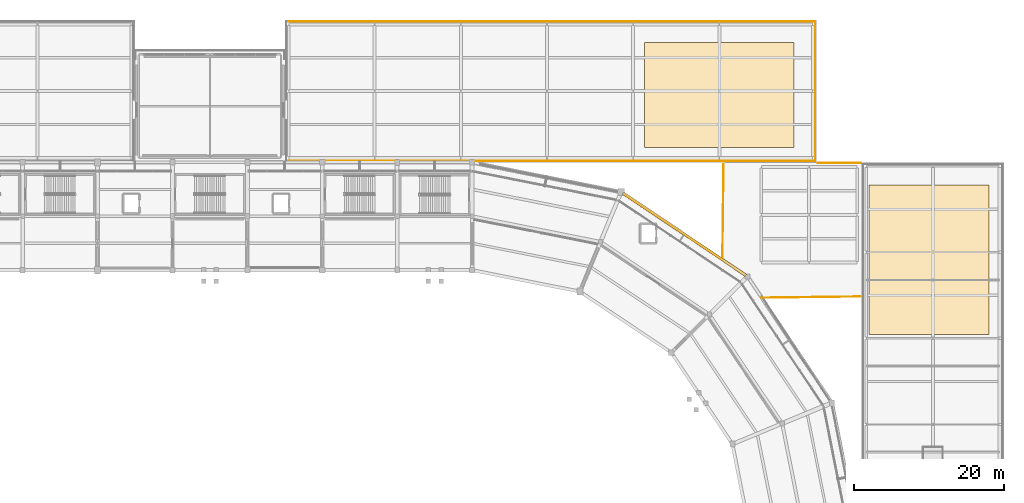
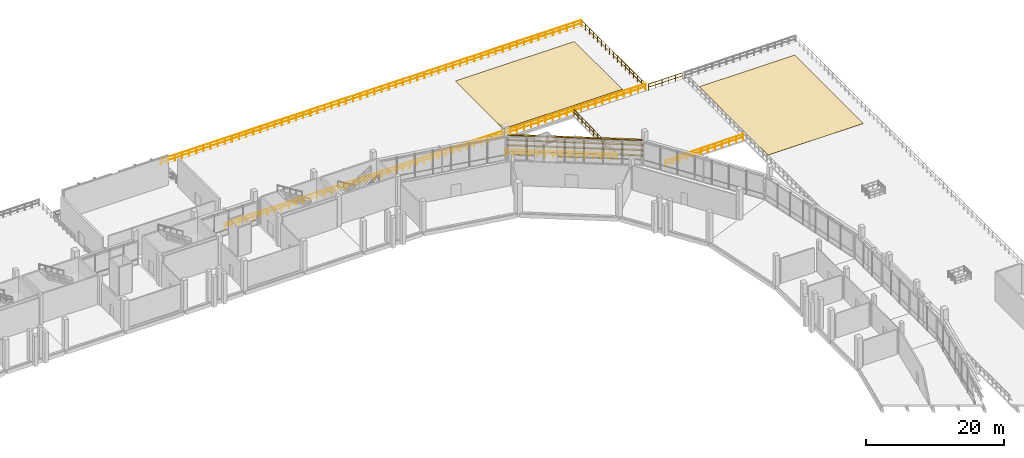
# One storey, part 110 of 111: 7 railings, 4 shading devices, 2 coverings.
"""IFC4 building model written with IfcOpenShell, lengths in metres."""

from ifc_helpers import new_model, si_unit, direction, frame, origin, origin_2d, place, context, subcontext, project, spatial, polyline, rectangle, circle, outline, extrude, material, layer, layer_set, type_object, element, save


model = new_model("IFC4")

# Units and contexts
model_context = context("Model", 3, precision=1e-05, world=origin(), true_north=direction((0.0, 1.0)))
body_context = subcontext(model_context, "Body", "Model", "MODEL_VIEW")
ifc_project = project(units=[si_unit("LENGTHUNIT", "METRE"), si_unit("AREAUNIT", "SQUARE_METRE"), si_unit("VOLUMEUNIT", "CUBIC_METRE"), si_unit("PLANEANGLEUNIT", "RADIAN"), si_unit("MASSUNIT", "GRAM", prefix="KILO")], contexts=[model_context])

# Site, building, storey
site_placement = place(None, origin())
site = spatial("IfcSite", under=ifc_project, at=site_placement, CompositionType="ELEMENT")
building_placement = place(site_placement, origin())
building = spatial("IfcBuilding", under=site, at=building_placement, Name="Candeia Ridge Stadium", CompositionType="ELEMENT")
storey_placement = place(building_placement, frame((0.0, 0.0, 16.199951171875)))
storey = spatial("IfcBuildingStorey", under=building, at=storey_placement, Name="L03", CompositionType="ELEMENT", Elevation=16.199951171875)

# Railings
ifc_material_1 = material(Name="Laminated Glass & Stainless Steel", Category="steel")
ifc_layer_1 = layer(ifc_material_1, 0.080078125, Name="Laminated Glass & Stainless Steel", Category="steel")
ifc_layer_set_1 = layer_set([ifc_layer_1], Name="Laminated Glass & Stainless Steel")
railing_type_1 = type_object("IfcRailingType", Name="Planted Terrace Glass-Steel Guard 1150", PredefinedType="BALUSTRADE", material=ifc_layer_set_1)
railing_1_placement = place(storey_placement, frame((116.199951171875, 147.199951171875, 0.0)))
element("IfcRailing", 1, at=railing_1_placement, inside=storey, type_object=railing_type_1, Name="Terrace perimeter balustrade GR-TER-195", PredefinedType="BALUSTRADE", context=body_context, shape_type="SweptSolid", body=[
    extrude(circle(Radius=0.02392578125, at=origin_2d()), frame((0.0, 0.0, 1.1259765625), z_axis=(1.0, 0.0, 0.0), x_axis=(0.0, 1.0, 0.0)), (0.0, 0.0, 1.0), 70.60009765625),
    extrude(circle(Radius=0.02392578125, at=origin_2d()), frame((0.0, 0.0, 0.574951171875), z_axis=(1.0, 0.0, 0.0), x_axis=(0.0, 1.0, 0.0)), (0.0, 0.0, 1.0), 70.60009765625),
    extrude(circle(Radius=0.02099609375, at=origin_2d()), origin(), (0.0, 0.0, 1.0), 1.101806640625),
    extrude(circle(Radius=0.02099609375, at=origin_2d()), frame((1.196533203125, 0.0, 0.0)), (0.0, 0.0, 1.0), 1.101806640625),
    extrude(circle(Radius=0.02099609375, at=origin_2d()), frame((2.393310546875, 0.0, 0.0)), (0.0, 0.0, 1.0), 1.101806640625),
    extrude(circle(Radius=0.02099609375, at=origin_2d()), frame((3.58984375, 0.0, 0.0)), (0.0, 0.0, 1.0), 1.101806640625),
    extrude(circle(Radius=0.02099609375, at=origin_2d()), frame((4.786376953125, 0.0, 0.0)), (0.0, 0.0, 1.0), 1.101806640625),
    extrude(circle(Radius=0.02099609375, at=origin_2d()), frame((5.983154296875, 0.0, 0.0)), (0.0, 0.0, 1.0), 1.101806640625),
    extrude(circle(Radius=0.02099609375, at=origin_2d()), frame((7.1796875, 0.0, 0.0)), (0.0, 0.0, 1.0), 1.101806640625),
    extrude(circle(Radius=0.02099609375, at=origin_2d()), frame((8.376220703125, 0.0, 0.0)), (0.0, 0.0, 1.0), 1.101806640625),
    extrude(circle(Radius=0.02099609375, at=origin_2d()), frame((9.572998046875, 0.0, 0.0)), (0.0, 0.0, 1.0), 1.101806640625),
    extrude(circle(Radius=0.02099609375, at=origin_2d()), frame((10.76953125, 0.0, 0.0)), (0.0, 0.0, 1.0), 1.101806640625),
    extrude(circle(Radius=0.02099609375, at=origin_2d()), frame((11.966064453125, 0.0, 0.0)), (0.0, 0.0, 1.0), 1.101806640625),
    extrude(circle(Radius=0.02099609375, at=origin_2d()), frame((13.162841796875, 0.0, 0.0)), (0.0, 0.0, 1.0), 1.101806640625),
    extrude(circle(Radius=0.02099609375, at=origin_2d()), frame((14.359375, 0.0, 0.0)), (0.0, 0.0, 1.0), 1.101806640625),
    extrude(circle(Radius=0.02099609375, at=origin_2d()), frame((15.555908203125, 0.0, 0.0)), (0.0, 0.0, 1.0), 1.101806640625),
    extrude(circle(Radius=0.02099609375, at=origin_2d()), frame((16.752685546875, 0.0, 0.0)), (0.0, 0.0, 1.0), 1.101806640625),
    extrude(circle(Radius=0.02099609375, at=origin_2d()), frame((17.94921875, 0.0, 0.0)), (0.0, 0.0, 1.0), 1.101806640625),
    extrude(circle(Radius=0.02099609375, at=origin_2d()), frame((19.145751953125, 0.0, 0.0)), (0.0, 0.0, 1.0), 1.101806640625),
    extrude(circle(Radius=0.02099609375, at=origin_2d()), frame((20.34228515625, 0.0, 0.0)), (0.0, 0.0, 1.0), 1.101806640625),
    extrude(circle(Radius=0.02099609375, at=origin_2d()), frame((21.5390625, 0.0, 0.0)), (0.0, 0.0, 1.0), 1.101806640625),
    extrude(circle(Radius=0.02099609375, at=origin_2d()), frame((22.735595703125, 0.0, 0.0)), (0.0, 0.0, 1.0), 1.101806640625),
    extrude(circle(Radius=0.02099609375, at=origin_2d()), frame((23.93212890625, 0.0, 0.0)), (0.0, 0.0, 1.0), 1.101806640625),
    extrude(circle(Radius=0.02099609375, at=origin_2d()), frame((25.12890625, 0.0, 0.0)), (0.0, 0.0, 1.0), 1.101806640625),
    extrude(circle(Radius=0.02099609375, at=origin_2d()), frame((26.325439453125, 0.0, 0.0)), (0.0, 0.0, 1.0), 1.101806640625),
    extrude(circle(Radius=0.02099609375, at=origin_2d()), frame((27.52197265625, 0.0, 0.0)), (0.0, 0.0, 1.0), 1.101806640625),
    extrude(circle(Radius=0.02099609375, at=origin_2d()), frame((28.71875, 0.0, 0.0)), (0.0, 0.0, 1.0), 1.101806640625),
    extrude(circle(Radius=0.02099609375, at=origin_2d()), frame((29.915283203125, 0.0, 0.0)), (0.0, 0.0, 1.0), 1.101806640625),
    extrude(circle(Radius=0.02099609375, at=origin_2d()), frame((31.11181640625, 0.0, 0.0)), (0.0, 0.0, 1.0), 1.101806640625),
    extrude(circle(Radius=0.02099609375, at=origin_2d()), frame((32.30859375, 0.0, 0.0)), (0.0, 0.0, 1.0), 1.101806640625),
    extrude(circle(Radius=0.02099609375, at=origin_2d()), frame((33.505126953125, 0.0, 0.0)), (0.0, 0.0, 1.0), 1.101806640625),
    extrude(circle(Radius=0.02099609375, at=origin_2d()), frame((34.70166015625, 0.0, 0.0)), (0.0, 0.0, 1.0), 1.101806640625),
    extrude(circle(Radius=0.02099609375, at=origin_2d()), frame((35.8984375, 0.0, 0.0)), (0.0, 0.0, 1.0), 1.101806640625),
    extrude(circle(Radius=0.02099609375, at=origin_2d()), frame((37.094970703125, 0.0, 0.0)), (0.0, 0.0, 1.0), 1.101806640625),
    extrude(circle(Radius=0.02099609375, at=origin_2d()), frame((38.29150390625, 0.0, 0.0)), (0.0, 0.0, 1.0), 1.101806640625),
    extrude(circle(Radius=0.02099609375, at=origin_2d()), frame((39.48828125, 0.0, 0.0)), (0.0, 0.0, 1.0), 1.101806640625),
    extrude(circle(Radius=0.02099609375, at=origin_2d()), frame((40.684814453125, 0.0, 0.0)), (0.0, 0.0, 1.0), 1.101806640625),
    extrude(circle(Radius=0.02099609375, at=origin_2d()), frame((41.88134765625, 0.0, 0.0)), (0.0, 0.0, 1.0), 1.101806640625),
    extrude(circle(Radius=0.02099609375, at=origin_2d()), frame((43.078125, 0.0, 0.0)), (0.0, 0.0, 1.0), 1.101806640625),
    extrude(circle(Radius=0.02099609375, at=origin_2d()), frame((44.274658203125, 0.0, 0.0)), (0.0, 0.0, 1.0), 1.101806640625),
    extrude(circle(Radius=0.02099609375, at=origin_2d()), frame((45.47119140625, 0.0, 0.0)), (0.0, 0.0, 1.0), 1.101806640625),
    extrude(circle(Radius=0.02099609375, at=origin_2d()), frame((46.66796875, 0.0, 0.0)), (0.0, 0.0, 1.0), 1.101806640625),
    extrude(circle(Radius=0.02099609375, at=origin_2d()), frame((47.864501953125, 0.0, 0.0)), (0.0, 0.0, 1.0), 1.101806640625),
    extrude(circle(Radius=0.02099609375, at=origin_2d()), frame((49.06103515625, 0.0, 0.0)), (0.0, 0.0, 1.0), 1.101806640625),
    extrude(circle(Radius=0.02099609375, at=origin_2d()), frame((50.2578125, 0.0, 0.0)), (0.0, 0.0, 1.0), 1.101806640625),
    extrude(circle(Radius=0.02099609375, at=origin_2d()), frame((51.454345703125, 0.0, 0.0)), (0.0, 0.0, 1.0), 1.101806640625),
    extrude(circle(Radius=0.02099609375, at=origin_2d()), frame((52.65087890625, 0.0, 0.0)), (0.0, 0.0, 1.0), 1.101806640625),
    extrude(circle(Radius=0.02099609375, at=origin_2d()), frame((53.847412109375, 0.0, 0.0)), (0.0, 0.0, 1.0), 1.101806640625),
    extrude(circle(Radius=0.02099609375, at=origin_2d()), frame((55.044189453125, 0.0, 0.0)), (0.0, 0.0, 1.0), 1.101806640625),
    extrude(circle(Radius=0.02099609375, at=origin_2d()), frame((56.24072265625, 0.0, 0.0)), (0.0, 0.0, 1.0), 1.101806640625),
    extrude(circle(Radius=0.02099609375, at=origin_2d()), frame((57.437255859375, 0.0, 0.0)), (0.0, 0.0, 1.0), 1.101806640625),
    extrude(circle(Radius=0.02099609375, at=origin_2d()), frame((58.634033203125, 0.0, 0.0)), (0.0, 0.0, 1.0), 1.101806640625),
    extrude(circle(Radius=0.02099609375, at=origin_2d()), frame((59.83056640625, 0.0, 0.0)), (0.0, 0.0, 1.0), 1.101806640625),
    extrude(circle(Radius=0.02099609375, at=origin_2d()), frame((61.027099609375, 0.0, 0.0)), (0.0, 0.0, 1.0), 1.101806640625),
    extrude(circle(Radius=0.02099609375, at=origin_2d()), frame((62.223876953125, 0.0, 0.0)), (0.0, 0.0, 1.0), 1.101806640625),
    extrude(circle(Radius=0.02099609375, at=origin_2d()), frame((63.42041015625, 0.0, 0.0)), (0.0, 0.0, 1.0), 1.101806640625),
    extrude(circle(Radius=0.02099609375, at=origin_2d()), frame((64.616943359375, 0.0, 0.0)), (0.0, 0.0, 1.0), 1.101806640625),
    extrude(circle(Radius=0.02099609375, at=origin_2d()), frame((65.813720703125, 0.0, 0.0)), (0.0, 0.0, 1.0), 1.101806640625),
    extrude(circle(Radius=0.02099609375, at=origin_2d()), frame((67.01025390625, 0.0, 0.0)), (0.0, 0.0, 1.0), 1.101806640625),
    extrude(circle(Radius=0.02099609375, at=origin_2d()), frame((68.206787109375, 0.0, 0.0)), (0.0, 0.0, 1.0), 1.101806640625),
    extrude(circle(Radius=0.02099609375, at=origin_2d()), frame((69.403564453125, 0.0, 0.0)), (0.0, 0.0, 1.0), 1.101806640625),
    extrude(circle(Radius=0.02099609375, at=origin_2d()), frame((70.60009765625, 0.0, 0.0)), (0.0, 0.0, 1.0), 1.101806640625),
])
railing_2_placement = place(storey_placement, frame((186.800048828125, 147.199951171875, 0.0)))
element("IfcRailing", 2, at=railing_2_placement, inside=storey, type_object=railing_type_1, Name="Terrace perimeter balustrade GR-TER-196", PredefinedType="BALUSTRADE", context=body_context, shape_type="SweptSolid", body=[
    extrude(circle(Radius=0.02392578125, at=origin_2d()), frame((0.0, 0.0, 1.1259765625), z_axis=(0.0, 1.0, 0.0), x_axis=(-1.0, 0.0, 0.0)), (0.0, 0.0, 1.0), 18.60009765625),
    extrude(circle(Radius=0.02392578125, at=origin_2d()), frame((0.0, 0.0, 0.574951171875), z_axis=(0.0, 1.0, 0.0), x_axis=(-1.0, 0.0, 0.0)), (0.0, 0.0, 1.0), 18.60009765625),
    extrude(circle(Radius=0.02099609375, at=origin_2d()), origin(), (0.0, 0.0, 1.0), 1.101806640625),
    extrude(circle(Radius=0.02099609375, at=origin_2d()), frame((0.0, 1.16259765625, 0.0)), (0.0, 0.0, 1.0), 1.101806640625),
    extrude(circle(Radius=0.02099609375, at=origin_2d()), frame((0.0, 2.324951171875, 0.0)), (0.0, 0.0, 1.0), 1.101806640625),
    extrude(circle(Radius=0.02099609375, at=origin_2d()), frame((0.0, 3.487548828125, 0.0)), (0.0, 0.0, 1.0), 1.101806640625),
    extrude(circle(Radius=0.02099609375, at=origin_2d()), frame((0.0, 4.64990234375, 0.0)), (0.0, 0.0, 1.0), 1.101806640625),
    extrude(circle(Radius=0.02099609375, at=origin_2d()), frame((0.0, 5.8125, 0.0)), (0.0, 0.0, 1.0), 1.101806640625),
    extrude(circle(Radius=0.02099609375, at=origin_2d()), frame((0.0, 6.97509765625, 0.0)), (0.0, 0.0, 1.0), 1.101806640625),
    extrude(circle(Radius=0.02099609375, at=origin_2d()), frame((0.0, 8.137451171875, 0.0)), (0.0, 0.0, 1.0), 1.101806640625),
    extrude(circle(Radius=0.02099609375, at=origin_2d()), frame((0.0, 9.300048828125, 0.0)), (0.0, 0.0, 1.0), 1.101806640625),
    extrude(circle(Radius=0.02099609375, at=origin_2d()), frame((0.0, 10.462646484375, 0.0)), (0.0, 0.0, 1.0), 1.101806640625),
    extrude(circle(Radius=0.02099609375, at=origin_2d()), frame((0.0, 11.625, 0.0)), (0.0, 0.0, 1.0), 1.101806640625),
    extrude(circle(Radius=0.02099609375, at=origin_2d()), frame((0.0, 12.78759765625, 0.0)), (0.0, 0.0, 1.0), 1.101806640625),
    extrude(circle(Radius=0.02099609375, at=origin_2d()), frame((0.0, 13.9501953125, 0.0)), (0.0, 0.0, 1.0), 1.101806640625),
    extrude(circle(Radius=0.02099609375, at=origin_2d()), frame((0.0, 15.112548828125, 0.0)), (0.0, 0.0, 1.0), 1.101806640625),
    extrude(circle(Radius=0.02099609375, at=origin_2d()), frame((0.0, 16.275146484375, 0.0)), (0.0, 0.0, 1.0), 1.101806640625),
    extrude(circle(Radius=0.02099609375, at=origin_2d()), frame((0.0, 17.4375, 0.0)), (0.0, 0.0, 1.0), 1.101806640625),
    extrude(circle(Radius=0.02099609375, at=origin_2d()), frame((0.0, 18.60009765625, 0.0)), (0.0, 0.0, 1.0), 1.101806640625),
])
railing_3_placement = place(storey_placement, frame((186.800048828125, 165.800048828125, 0.0)))
element("IfcRailing", 3, at=railing_3_placement, inside=storey, type_object=railing_type_1, Name="Terrace perimeter balustrade GR-TER-197", PredefinedType="BALUSTRADE", context=body_context, shape_type="SweptSolid", body=[
    extrude(circle(Radius=0.02392578125, at=origin_2d()), frame((0.0, 0.0, 1.1259765625), z_axis=(-1.0, 0.0, 0.0), x_axis=(0.0, -1.0, 0.0)), (0.0, 0.0, 1.0), 70.60009765625),
    extrude(circle(Radius=0.02392578125, at=origin_2d()), frame((0.0, 0.0, 0.574951171875), z_axis=(-1.0, 0.0, 0.0), x_axis=(0.0, -1.0, 0.0)), (0.0, 0.0, 1.0), 70.60009765625),
    extrude(circle(Radius=0.02099609375, at=origin_2d()), origin(), (0.0, 0.0, 1.0), 1.101806640625),
    extrude(circle(Radius=0.02099609375, at=origin_2d()), frame((-1.196533203125, 0.0, 0.0)), (0.0, 0.0, 1.0), 1.101806640625),
    extrude(circle(Radius=0.02099609375, at=origin_2d()), frame((-2.393310546875, 0.0, 0.0)), (0.0, 0.0, 1.0), 1.101806640625),
    extrude(circle(Radius=0.02099609375, at=origin_2d()), frame((-3.58984375, 0.0, 0.0)), (0.0, 0.0, 1.0), 1.101806640625),
    extrude(circle(Radius=0.02099609375, at=origin_2d()), frame((-4.786376953125, 0.0, 0.0)), (0.0, 0.0, 1.0), 1.101806640625),
    extrude(circle(Radius=0.02099609375, at=origin_2d()), frame((-5.983154296875, 0.0, 0.0)), (0.0, 0.0, 1.0), 1.101806640625),
    extrude(circle(Radius=0.02099609375, at=origin_2d()), frame((-7.1796875, 0.0, 0.0)), (0.0, 0.0, 1.0), 1.101806640625),
    extrude(circle(Radius=0.02099609375, at=origin_2d()), frame((-8.376220703125, 0.0, 0.0)), (0.0, 0.0, 1.0), 1.101806640625),
    extrude(circle(Radius=0.02099609375, at=origin_2d()), frame((-9.572998046875, 0.0, 0.0)), (0.0, 0.0, 1.0), 1.101806640625),
    extrude(circle(Radius=0.02099609375, at=origin_2d()), frame((-10.76953125, 0.0, 0.0)), (0.0, 0.0, 1.0), 1.101806640625),
    extrude(circle(Radius=0.02099609375, at=origin_2d()), frame((-11.966064453125, 0.0, 0.0)), (0.0, 0.0, 1.0), 1.101806640625),
    extrude(circle(Radius=0.02099609375, at=origin_2d()), frame((-13.162841796875, 0.0, 0.0)), (0.0, 0.0, 1.0), 1.101806640625),
    extrude(circle(Radius=0.02099609375, at=origin_2d()), frame((-14.359375, 0.0, 0.0)), (0.0, 0.0, 1.0), 1.101806640625),
    extrude(circle(Radius=0.02099609375, at=origin_2d()), frame((-15.555908203125, 0.0, 0.0)), (0.0, 0.0, 1.0), 1.101806640625),
    extrude(circle(Radius=0.02099609375, at=origin_2d()), frame((-16.752685546875, 0.0, 0.0)), (0.0, 0.0, 1.0), 1.101806640625),
    extrude(circle(Radius=0.02099609375, at=origin_2d()), frame((-17.94921875, 0.0, 0.0)), (0.0, 0.0, 1.0), 1.101806640625),
    extrude(circle(Radius=0.02099609375, at=origin_2d()), frame((-19.145751953125, 0.0, 0.0)), (0.0, 0.0, 1.0), 1.101806640625),
    extrude(circle(Radius=0.02099609375, at=origin_2d()), frame((-20.34228515625, 0.0, 0.0)), (0.0, 0.0, 1.0), 1.101806640625),
    extrude(circle(Radius=0.02099609375, at=origin_2d()), frame((-21.5390625, 0.0, 0.0)), (0.0, 0.0, 1.0), 1.101806640625),
    extrude(circle(Radius=0.02099609375, at=origin_2d()), frame((-22.735595703125, 0.0, 0.0)), (0.0, 0.0, 1.0), 1.101806640625),
    extrude(circle(Radius=0.02099609375, at=origin_2d()), frame((-23.93212890625, 0.0, 0.0)), (0.0, 0.0, 1.0), 1.101806640625),
    extrude(circle(Radius=0.02099609375, at=origin_2d()), frame((-25.12890625, 0.0, 0.0)), (0.0, 0.0, 1.0), 1.101806640625),
    extrude(circle(Radius=0.02099609375, at=origin_2d()), frame((-26.325439453125, 0.0, 0.0)), (0.0, 0.0, 1.0), 1.101806640625),
    extrude(circle(Radius=0.02099609375, at=origin_2d()), frame((-27.52197265625, 0.0, 0.0)), (0.0, 0.0, 1.0), 1.101806640625),
    extrude(circle(Radius=0.02099609375, at=origin_2d()), frame((-28.71875, 0.0, 0.0)), (0.0, 0.0, 1.0), 1.101806640625),
    extrude(circle(Radius=0.02099609375, at=origin_2d()), frame((-29.915283203125, 0.0, 0.0)), (0.0, 0.0, 1.0), 1.101806640625),
    extrude(circle(Radius=0.02099609375, at=origin_2d()), frame((-31.11181640625, 0.0, 0.0)), (0.0, 0.0, 1.0), 1.101806640625),
    extrude(circle(Radius=0.02099609375, at=origin_2d()), frame((-32.30859375, 0.0, 0.0)), (0.0, 0.0, 1.0), 1.101806640625),
    extrude(circle(Radius=0.02099609375, at=origin_2d()), frame((-33.505126953125, 0.0, 0.0)), (0.0, 0.0, 1.0), 1.101806640625),
    extrude(circle(Radius=0.02099609375, at=origin_2d()), frame((-34.70166015625, 0.0, 0.0)), (0.0, 0.0, 1.0), 1.101806640625),
    extrude(circle(Radius=0.02099609375, at=origin_2d()), frame((-35.8984375, 0.0, 0.0)), (0.0, 0.0, 1.0), 1.101806640625),
    extrude(circle(Radius=0.02099609375, at=origin_2d()), frame((-37.094970703125, 0.0, 0.0)), (0.0, 0.0, 1.0), 1.101806640625),
    extrude(circle(Radius=0.02099609375, at=origin_2d()), frame((-38.29150390625, 0.0, 0.0)), (0.0, 0.0, 1.0), 1.101806640625),
    extrude(circle(Radius=0.02099609375, at=origin_2d()), frame((-39.48828125, 0.0, 0.0)), (0.0, 0.0, 1.0), 1.101806640625),
    extrude(circle(Radius=0.02099609375, at=origin_2d()), frame((-40.684814453125, 0.0, 0.0)), (0.0, 0.0, 1.0), 1.101806640625),
    extrude(circle(Radius=0.02099609375, at=origin_2d()), frame((-41.88134765625, 0.0, 0.0)), (0.0, 0.0, 1.0), 1.101806640625),
    extrude(circle(Radius=0.02099609375, at=origin_2d()), frame((-43.078125, 0.0, 0.0)), (0.0, 0.0, 1.0), 1.101806640625),
    extrude(circle(Radius=0.02099609375, at=origin_2d()), frame((-44.274658203125, 0.0, 0.0)), (0.0, 0.0, 1.0), 1.101806640625),
    extrude(circle(Radius=0.02099609375, at=origin_2d()), frame((-45.47119140625, 0.0, 0.0)), (0.0, 0.0, 1.0), 1.101806640625),
    extrude(circle(Radius=0.02099609375, at=origin_2d()), frame((-46.66796875, 0.0, 0.0)), (0.0, 0.0, 1.0), 1.101806640625),
    extrude(circle(Radius=0.02099609375, at=origin_2d()), frame((-47.864501953125, 0.0, 0.0)), (0.0, 0.0, 1.0), 1.101806640625),
    extrude(circle(Radius=0.02099609375, at=origin_2d()), frame((-49.06103515625, 0.0, 0.0)), (0.0, 0.0, 1.0), 1.101806640625),
    extrude(circle(Radius=0.02099609375, at=origin_2d()), frame((-50.2578125, 0.0, 0.0)), (0.0, 0.0, 1.0), 1.101806640625),
    extrude(circle(Radius=0.02099609375, at=origin_2d()), frame((-51.454345703125, 0.0, 0.0)), (0.0, 0.0, 1.0), 1.101806640625),
    extrude(circle(Radius=0.02099609375, at=origin_2d()), frame((-52.65087890625, 0.0, 0.0)), (0.0, 0.0, 1.0), 1.101806640625),
    extrude(circle(Radius=0.02099609375, at=origin_2d()), frame((-53.847412109375, 0.0, 0.0)), (0.0, 0.0, 1.0), 1.101806640625),
    extrude(circle(Radius=0.02099609375, at=origin_2d()), frame((-55.044189453125, 0.0, 0.0)), (0.0, 0.0, 1.0), 1.101806640625),
    extrude(circle(Radius=0.02099609375, at=origin_2d()), frame((-56.24072265625, 0.0, 0.0)), (0.0, 0.0, 1.0), 1.101806640625),
    extrude(circle(Radius=0.02099609375, at=origin_2d()), frame((-57.437255859375, 0.0, 0.0)), (0.0, 0.0, 1.0), 1.101806640625),
    extrude(circle(Radius=0.02099609375, at=origin_2d()), frame((-58.634033203125, 0.0, 0.0)), (0.0, 0.0, 1.0), 1.101806640625),
    extrude(circle(Radius=0.02099609375, at=origin_2d()), frame((-59.83056640625, 0.0, 0.0)), (0.0, 0.0, 1.0), 1.101806640625),
    extrude(circle(Radius=0.02099609375, at=origin_2d()), frame((-61.027099609375, 0.0, 0.0)), (0.0, 0.0, 1.0), 1.101806640625),
    extrude(circle(Radius=0.02099609375, at=origin_2d()), frame((-62.223876953125, 0.0, 0.0)), (0.0, 0.0, 1.0), 1.101806640625),
    extrude(circle(Radius=0.02099609375, at=origin_2d()), frame((-63.42041015625, 0.0, 0.0)), (0.0, 0.0, 1.0), 1.101806640625),
    extrude(circle(Radius=0.02099609375, at=origin_2d()), frame((-64.616943359375, 0.0, 0.0)), (0.0, 0.0, 1.0), 1.101806640625),
    extrude(circle(Radius=0.02099609375, at=origin_2d()), frame((-65.813720703125, 0.0, 0.0)), (0.0, 0.0, 1.0), 1.101806640625),
    extrude(circle(Radius=0.02099609375, at=origin_2d()), frame((-67.01025390625, 0.0, 0.0)), (0.0, 0.0, 1.0), 1.101806640625),
    extrude(circle(Radius=0.02099609375, at=origin_2d()), frame((-68.206787109375, 0.0, 0.0)), (0.0, 0.0, 1.0), 1.101806640625),
    extrude(circle(Radius=0.02099609375, at=origin_2d()), frame((-69.403564453125, 0.0, 0.0)), (0.0, 0.0, 1.0), 1.101806640625),
    extrude(circle(Radius=0.02099609375, at=origin_2d()), frame((-70.60009765625, 0.0, 0.0)), (0.0, 0.0, 1.0), 1.101806640625),
])

# Coverings
ifc_material_2 = material(Name="EPDM Root-Barrier Waterproof Membrane", Category="concrete")
ifc_layer_2 = layer(ifc_material_2, 0.02001953125, Name="EPDM Root-Barrier Waterproof Membrane", Category="concrete")
ifc_layer_set_2 = layer_set([ifc_layer_2], Name="EPDM Root-Barrier Waterproof Membrane")
covering_type = type_object("IfcCoveringType", Name="Planted Terrace Waterproof Membrane 20", PredefinedType="ROOFING", material=ifc_layer_set_2)
covering_1_placement = place(storey_placement, origin())
element("IfcCovering", 4, at=covering_1_placement, inside=storey, type_object=covering_type, Name="Terrace waterproof membrane RMEM-02", PredefinedType="ROOFING", context=body_context, shape_type="SweptSolid", body=[
    extrude(outline(polyline([(194.0, 124.0), (210.0, 124.0), (210.0, 144.0), (194.0, 144.0), (194.0, 124.0)])), origin(), (0.0, 0.0, 1.0), 0.02001953125),
])
covering_2_placement = place(storey_placement, origin())
element("IfcCovering", 5, at=covering_2_placement, inside=storey, type_object=covering_type, Name="Terrace waterproof membrane RMEM-04", PredefinedType="ROOFING", context=body_context, shape_type="SweptSolid", body=[
    extrude(outline(polyline([(164.0, 149.0), (184.0, 149.0), (184.0, 163.0), (164.0, 163.0), (164.0, 149.0)])), origin(), (0.0, 0.0, 1.0), 0.02001953125),
])

# Railings
ifc_material_3 = material(Name="Galvanized Powder-Coated Steel", Category="steel")
ifc_layer_3 = layer(ifc_material_3, 0.074951171875, Name="Galvanized Powder-Coated Steel", Category="steel")
ifc_layer_set_3 = layer_set([ifc_layer_3], Name="Galvanized Powder-Coated Steel")
railing_type_2 = type_object("IfcRailingType", Name="Spectator Bowl Front Guardrail 1120", PredefinedType="GUARDRAIL", material=ifc_layer_set_3)
railing_4_placement = place(storey_placement, frame((187.169189453125, 146.919921875, 0.0)))
element("IfcRailing", 6, at=railing_4_placement, inside=storey, type_object=railing_type_2, Name="Deck edge safety guardrail GR-DE-L03-0148", PredefinedType="GUARDRAIL", context=body_context, shape_type="SweptSolid", body=[
    extrude(circle(Radius=0.02392578125, at=origin_2d()), frame((0.0, 0.0, 1.09619140625), z_axis=(1.0, 0.0, 0.0), x_axis=(0.0, 1.0, 0.0)), (0.0, 0.0, 1.0), 5.66162109375),
    extrude(circle(Radius=0.02392578125, at=origin_2d()), frame((0.0, 0.0, 0.56005859375), z_axis=(1.0, 0.0, 0.0), x_axis=(0.0, 1.0, 0.0)), (0.0, 0.0, 1.0), 5.66162109375),
    extrude(circle(Radius=0.02099609375, at=origin_2d()), origin(), (0.0, 0.0, 1.0), 1.072021484375),
    extrude(circle(Radius=0.02099609375, at=origin_2d()), frame((1.13232421875, 0.0, 0.0)), (0.0, 0.0, 1.0), 1.072021484375),
    extrude(circle(Radius=0.02099609375, at=origin_2d()), frame((2.2646484375, 0.0, 0.0)), (0.0, 0.0, 1.0), 1.072021484375),
    extrude(circle(Radius=0.02099609375, at=origin_2d()), frame((3.39697265625, 0.0, 0.0)), (0.0, 0.0, 1.0), 1.072021484375),
    extrude(circle(Radius=0.02099609375, at=origin_2d()), frame((4.529296875, 0.0, 0.0)), (0.0, 0.0, 1.0), 1.072021484375),
    extrude(circle(Radius=0.02099609375, at=origin_2d()), frame((5.66162109375, 0.0, 0.0)), (0.0, 0.0, 1.0), 1.072021484375),
])
railing_5_placement = place(storey_placement, frame((192.780029296875, 129.080078125, 0.0)))
element("IfcRailing", 7, at=railing_5_placement, inside=storey, type_object=railing_type_2, Name="Deck edge safety guardrail GR-DE-L03-0159", PredefinedType="GUARDRAIL", context=body_context, shape_type="SweptSolid", body=[
    extrude(circle(Radius=0.02392578125, at=origin_2d()), frame((0.0, 0.0, 1.09619140625), z_axis=(-0.999925953664, -0.012169107946, 0.0), x_axis=(0.012169107946, -0.999925953664, 0.0)), (0.0, 0.0, 1.0), 13.160888671875),
    extrude(circle(Radius=0.02392578125, at=origin_2d()), frame((0.0, 0.0, 0.56005859375), z_axis=(-0.999925953664, -0.012169107946, 0.0), x_axis=(0.012169107946, -0.999925953664, 0.0)), (0.0, 0.0, 1.0), 13.160888671875),
    extrude(circle(Radius=0.02099609375, at=origin_2d()), origin(), (0.0, 0.0, 1.0), 1.072021484375),
    extrude(circle(Radius=0.02099609375, at=origin_2d()), frame((-1.1962890625, -0.0146484375, 0.0)), (0.0, 0.0, 1.0), 1.072021484375),
    extrude(circle(Radius=0.02099609375, at=origin_2d()), frame((-2.392822265625, -0.029052734375, 0.0)), (0.0, 0.0, 1.0), 1.072021484375),
    extrude(circle(Radius=0.02099609375, at=origin_2d()), frame((-3.589111328125, -0.043701171875, 0.0)), (0.0, 0.0, 1.0), 1.072021484375),
    extrude(circle(Radius=0.02099609375, at=origin_2d()), frame((-4.785400390625, -0.058349609375, 0.0)), (0.0, 0.0, 1.0), 1.072021484375),
    extrude(circle(Radius=0.02099609375, at=origin_2d()), frame((-5.981689453125, -0.07275390625, 0.0)), (0.0, 0.0, 1.0), 1.072021484375),
    extrude(circle(Radius=0.02099609375, at=origin_2d()), frame((-7.17822265625, -0.08740234375, 0.0)), (0.0, 0.0, 1.0), 1.072021484375),
    extrude(circle(Radius=0.02099609375, at=origin_2d()), frame((-8.37451171875, -0.101806640625, 0.0)), (0.0, 0.0, 1.0), 1.072021484375),
    extrude(circle(Radius=0.02099609375, at=origin_2d()), frame((-9.57080078125, -0.116455078125, 0.0)), (0.0, 0.0, 1.0), 1.072021484375),
    extrude(circle(Radius=0.02099609375, at=origin_2d()), frame((-10.76708984375, -0.131103515625, 0.0)), (0.0, 0.0, 1.0), 1.072021484375),
    extrude(circle(Radius=0.02099609375, at=origin_2d()), frame((-11.963623046875, -0.1455078125, 0.0)), (0.0, 0.0, 1.0), 1.072021484375),
    extrude(circle(Radius=0.02099609375, at=origin_2d()), frame((-13.159912109375, -0.16015625, 0.0)), (0.0, 0.0, 1.0), 1.072021484375),
])
railing_6_placement = place(storey_placement, frame((160.85498046875, 142.97509765625, 0.0)))
element("IfcRailing", 8, at=railing_6_placement, inside=storey, type_object=railing_type_2, Name="Deck edge safety guardrail GR-DE-L03-0168", PredefinedType="GUARDRAIL", context=body_context, shape_type="SweptSolid", body=[
    extrude(circle(Radius=0.02392578125, at=origin_2d()), frame((0.0, 0.0, 1.09619140625), z_axis=(0.832681494544, -0.553752226763, 0.0), x_axis=(0.553752226763, 0.832681494544, 0.0)), (0.0, 0.0, 1.0), 16.290771484375),
    extrude(circle(Radius=0.02392578125, at=origin_2d()), frame((0.0, 0.0, 0.56005859375), z_axis=(0.832681494544, -0.553752226763, 0.0), x_axis=(0.553752226763, 0.832681494544, 0.0)), (0.0, 0.0, 1.0), 16.290771484375),
    extrude(circle(Radius=0.02099609375, at=origin_2d()), origin(), (0.0, 0.0, 1.0), 1.072021484375),
    extrude(circle(Radius=0.02099609375, at=origin_2d()), frame((0.968994140625, -0.644287109375, 0.0)), (0.0, 0.0, 1.0), 1.072021484375),
    extrude(circle(Radius=0.02099609375, at=origin_2d()), frame((1.937744140625, -1.288818359375, 0.0)), (0.0, 0.0, 1.0), 1.072021484375),
    extrude(circle(Radius=0.02099609375, at=origin_2d()), frame((2.90673828125, -1.93310546875, 0.0)), (0.0, 0.0, 1.0), 1.072021484375),
    extrude(circle(Radius=0.02099609375, at=origin_2d()), frame((3.875732421875, -2.577392578125, 0.0)), (0.0, 0.0, 1.0), 1.072021484375),
    extrude(circle(Radius=0.02099609375, at=origin_2d()), frame((4.8447265625, -3.2216796875, 0.0)), (0.0, 0.0, 1.0), 1.072021484375),
    extrude(circle(Radius=0.02099609375, at=origin_2d()), frame((5.8134765625, -3.8662109375, 0.0)), (0.0, 0.0, 1.0), 1.072021484375),
    extrude(circle(Radius=0.02099609375, at=origin_2d()), frame((6.782470703125, -4.510498046875, 0.0)), (0.0, 0.0, 1.0), 1.072021484375),
    extrude(circle(Radius=0.02099609375, at=origin_2d()), frame((7.75146484375, -5.15478515625, 0.0)), (0.0, 0.0, 1.0), 1.072021484375),
    extrude(circle(Radius=0.02099609375, at=origin_2d()), frame((8.72021484375, -5.79931640625, 0.0)), (0.0, 0.0, 1.0), 1.072021484375),
    extrude(circle(Radius=0.02099609375, at=origin_2d()), frame((9.689208984375, -6.443603515625, 0.0)), (0.0, 0.0, 1.0), 1.072021484375),
    extrude(circle(Radius=0.02099609375, at=origin_2d()), frame((10.658203125, -7.087890625, 0.0)), (0.0, 0.0, 1.0), 1.072021484375),
    extrude(circle(Radius=0.02099609375, at=origin_2d()), frame((11.627197265625, -7.732177734375, 0.0)), (0.0, 0.0, 1.0), 1.072021484375),
    extrude(circle(Radius=0.02099609375, at=origin_2d()), frame((12.595947265625, -8.376708984375, 0.0)), (0.0, 0.0, 1.0), 1.072021484375),
    extrude(circle(Radius=0.02099609375, at=origin_2d()), frame((13.56494140625, -9.02099609375, 0.0)), (0.0, 0.0, 1.0), 1.072021484375),
])
railing_7_placement = place(storey_placement, frame((174.419921875, 133.9541015625, 0.0)))
element("IfcRailing", 9, at=railing_7_placement, inside=storey, type_object=railing_type_2, Name="Deck edge safety guardrail GR-DE-L03-0169", PredefinedType="GUARDRAIL", context=body_context, shape_type="SweptSolid", body=[
    extrude(circle(Radius=0.02392578125, at=origin_2d()), frame((0.0, 0.0, 1.09619140625), z_axis=(0.012485940102, 0.999922047612, 0.0), x_axis=(-0.999922047612, 0.012485940102, 0.0)), (0.0, 0.0, 1.0), 12.826904296875),
    extrude(circle(Radius=0.02392578125, at=origin_2d()), frame((0.0, 0.0, 0.56005859375), z_axis=(0.012485940102, 0.999922047612, 0.0), x_axis=(-0.999922047612, 0.012485940102, 0.0)), (0.0, 0.0, 1.0), 12.826904296875),
    extrude(circle(Radius=0.02099609375, at=origin_2d()), origin(), (0.0, 0.0, 1.0), 1.072021484375),
    extrude(circle(Radius=0.02099609375, at=origin_2d()), frame((0.0146484375, 1.166015625, 0.0)), (0.0, 0.0, 1.0), 1.072021484375),
    extrude(circle(Radius=0.02099609375, at=origin_2d()), frame((0.029052734375, 2.33203125, 0.0)), (0.0, 0.0, 1.0), 1.072021484375),
    extrude(circle(Radius=0.02099609375, at=origin_2d()), frame((0.043701171875, 3.498046875, 0.0)), (0.0, 0.0, 1.0), 1.072021484375),
    extrude(circle(Radius=0.02099609375, at=origin_2d()), frame((0.058349609375, 4.6640625, 0.0)), (0.0, 0.0, 1.0), 1.072021484375),
    extrude(circle(Radius=0.02099609375, at=origin_2d()), frame((0.07275390625, 5.830078125, 0.0)), (0.0, 0.0, 1.0), 1.072021484375),
    extrude(circle(Radius=0.02099609375, at=origin_2d()), frame((0.08740234375, 6.995849609375, 0.0)), (0.0, 0.0, 1.0), 1.072021484375),
    extrude(circle(Radius=0.02099609375, at=origin_2d()), frame((0.101806640625, 8.161865234375, 0.0)), (0.0, 0.0, 1.0), 1.072021484375),
    extrude(circle(Radius=0.02099609375, at=origin_2d()), frame((0.116455078125, 9.327880859375, 0.0)), (0.0, 0.0, 1.0), 1.072021484375),
    extrude(circle(Radius=0.02099609375, at=origin_2d()), frame((0.131103515625, 10.493896484375, 0.0)), (0.0, 0.0, 1.0), 1.072021484375),
    extrude(circle(Radius=0.02099609375, at=origin_2d()), frame((0.1455078125, 11.659912109375, 0.0)), (0.0, 0.0, 1.0), 1.072021484375),
    extrude(circle(Radius=0.02099609375, at=origin_2d()), frame((0.16015625, 12.825927734375, 0.0)), (0.0, 0.0, 1.0), 1.072021484375),
])

# Shading devices
ifc_material_4 = material(Name="Aluminium Anodized Warm Bronze", Category="aluminium")
shading_device_type = type_object("IfcShadingDeviceType", Name="Weathered Bronze Horizontal Solar Rib 380x85", PredefinedType="JALOUSIE", material=ifc_material_4)
for number, where, z_axis, x_axis, name in (
    (10, (169.33447265625, 137.40576171875, 0.891357421875), (0.0, 0.0, 1.0), (-0.831469626973, 0.555570211063, 0.0), "Weathered bronze horizontal solar rib L03 bay 35-1"),
    (11, (169.33447265625, 137.40576171875, 1.825439453125), (0.0, 0.0, 1.0), (-0.831469626973, 0.555570211063, 0.0), "Weathered bronze horizontal solar rib L03 bay 35-2"),
    (12, (169.33447265625, 137.40576171875, 2.75927734375), (0.0, 0.0, 1.0), (-0.831469626973, 0.555570211063, 0.0), "Weathered bronze horizontal solar rib L03 bay 35-3"),
    (13, (169.33447265625, 137.40576171875, 3.608154296875), (0.0, 0.0, 1.0), (-0.831469626973, 0.555570211063, 0.0), "Weathered bronze horizontal solar rib L03 bay 35-4"),
):
    element("IfcShadingDevice", number, at=place(storey_placement, frame(where, z_axis=z_axis, x_axis=x_axis)), inside=storey, type_object=shading_device_type, Name=name, PredefinedType="JALOUSIE", context=body_context, shape_type="SweptSolid", body=[
        extrude(rectangle(XDim=19.789306640625, YDim=0.3798828125, at=origin_2d()), origin(), (0.0, 0.0, 1.0), 0.0849609375),
    ])

save(model, "model.ifc")
